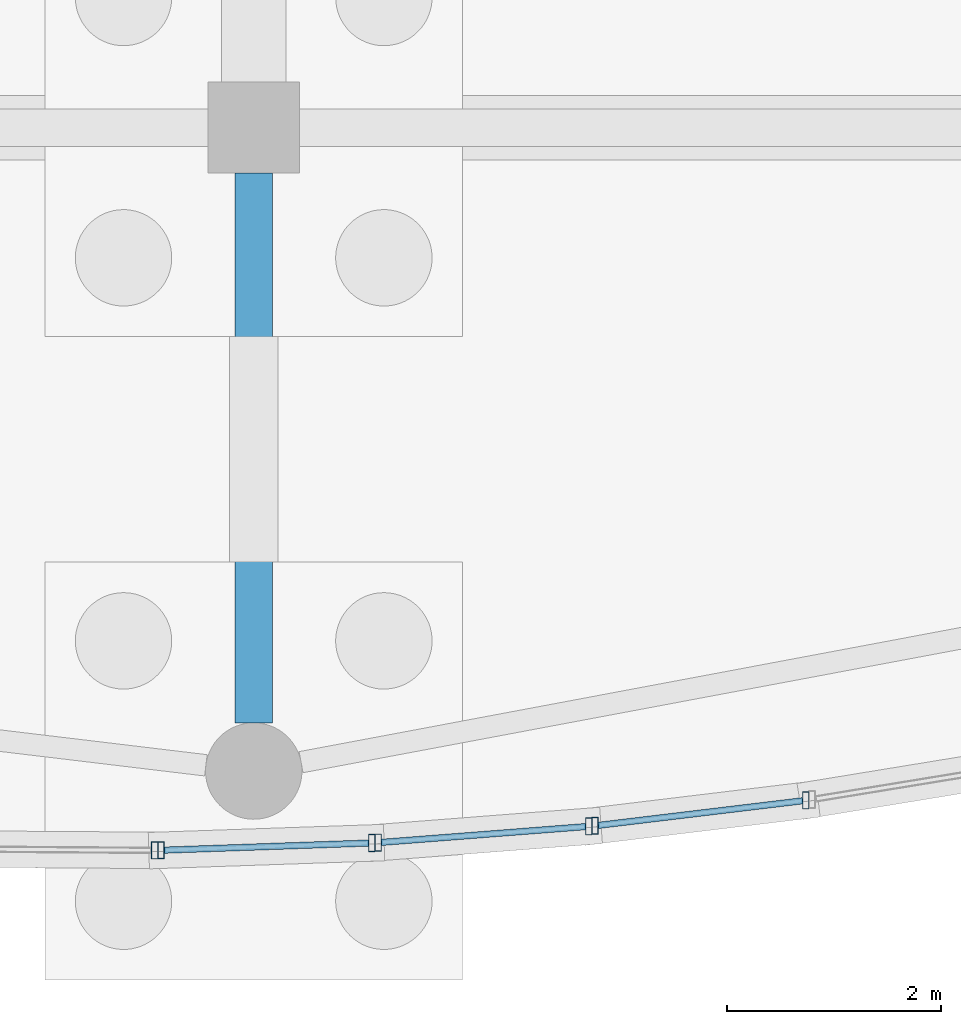
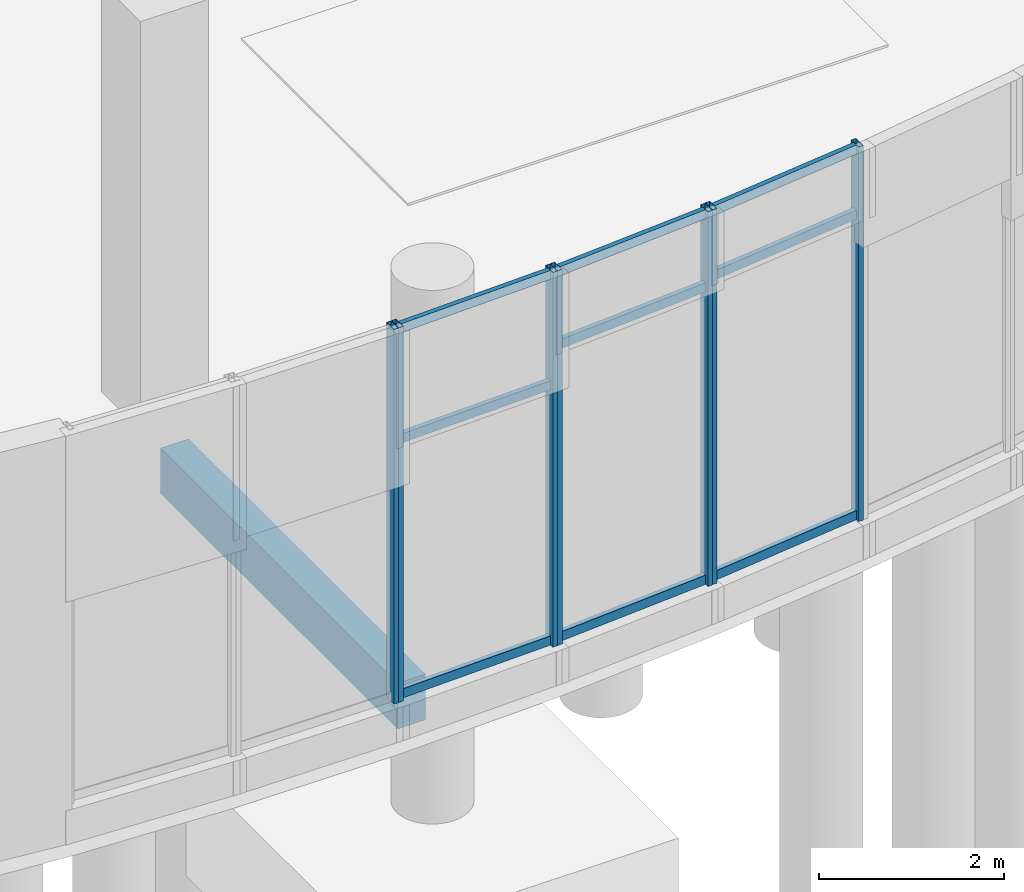
# One storey, part 32 of 192: 16 members, 1 beam, 4 elements without a shape of their own.
"""IFC4 building model written with IfcOpenShell, lengths in metres."""

from ifc_helpers import new_model, si_unit, direction, frame, origin, origin_2d, place, context, subcontext, project, spatial, rectangle, hollow_rectangle, extrude, material, material_profile, profile_set, type_object, element, aggregate, save


model = new_model("IFC4")

# Units and contexts
model_context = context("Model", 3, precision=1e-05, world=origin(), true_north=direction((0.0, 1.0)))
body_context = subcontext(model_context, "Body", "Model", "MODEL_VIEW")
ifc_project = project(units=[si_unit("LENGTHUNIT", "METRE"), si_unit("AREAUNIT", "SQUARE_METRE"), si_unit("VOLUMEUNIT", "CUBIC_METRE"), si_unit("PLANEANGLEUNIT", "RADIAN"), si_unit("MASSUNIT", "GRAM", prefix="KILO")], contexts=[model_context])

# Site, building, storey
site_placement = place(None, origin())
site = spatial("IfcSite", under=ifc_project, at=site_placement, CompositionType="ELEMENT")
building_placement = place(site_placement, origin())
building = spatial("IfcBuilding", under=site, at=building_placement, Name="Cendralis Lancet Convention Centre", CompositionType="ELEMENT")
storey_placement = place(building_placement, origin())
storey = spatial("IfcBuildingStorey", under=building, at=storey_placement, Name="L00", CompositionType="ELEMENT", Elevation=0.0)

# Curtain wall, member
ifc_material_1 = material(Name="Anodised bronze architectural aluminium", Category="aluminium")
curtain_wall_type = type_object("IfcCurtainWallType", Name="ARC-CW-WF01", PredefinedType="USERDEFINED", material=ifc_material_1)
curtain_wall_1_placement = place(storey_placement, origin())
curtain_wall_1 = element("IfcCurtainWall", 1, at=curtain_wall_1_placement, inside=storey, type_object=curtain_wall_type, Name="L00 Curtain Wall CW-WF1 #024", ObjectType="CURTAIN WALL", PredefinedType="USERDEFINED")
ifc_material_profile_1 = material_profile(ifc_material_1, hollow_rectangle(XDim=0.06005859375, YDim=0.159912109375, WallThickness=0.00390625, at=origin_2d()), Name="AL-MULL 60x160x4.0")
ifc_profile_set_1 = profile_set([ifc_material_profile_1], Name="Anodised bronze architectural aluminium")
member_type_1 = type_object("IfcMemberType", Name="ARC-CW-ML01", PredefinedType="MULLION", material=ifc_profile_set_1)
member_1_placement = place(storey_placement, frame((56.676025390625, 0.455078125, 0.449951171875), z_axis=(0.0, 0.0, 1.0), x_axis=(1.0, 0.0, 0.0)))
member_1 = element("IfcMember", 2, at=member_1_placement, type_object=member_type_1, Name="Mullion CW2-CW-WF1-L00-024-M1", PredefinedType="MULLION", context=body_context, shape_type="SweptSolid", body=[
    extrude(hollow_rectangle(XDim=0.06005859375, YDim=0.159912109375, WallThickness=0.00390625, at=origin_2d()), origin(), (0.0, 0.0, 1.0), 4.949951171875),
])
aggregate(curtain_wall_1, [member_1])

# Curtain wall, members
curtain_wall_2_placement = place(storey_placement, origin())
curtain_wall_2 = element("IfcCurtainWall", 3, at=curtain_wall_2_placement, inside=storey, type_object=curtain_wall_type, Name="L00 Curtain Wall CW-WF1 #025", ObjectType="CURTAIN WALL", PredefinedType="USERDEFINED")
member_2_placement = place(storey_placement, frame((56.736083984375, 0.4560546875, 0.449951171875), z_axis=(0.0, 0.0, 1.0), x_axis=(1.0, 0.0, 0.0)))
member_2 = element("IfcMember", 4, at=member_2_placement, type_object=member_type_1, Name="Mullion CW2-CW-WF1-L00-025-M0", PredefinedType="MULLION", context=body_context, shape_type="SweptSolid", body=[
    extrude(hollow_rectangle(XDim=0.06005859375, YDim=0.159912109375, WallThickness=0.00390625, at=origin_2d()), origin(), (0.0, 0.0, 1.0), 4.949951171875),
])
member_3_placement = place(storey_placement, frame((58.701904296875, 0.52392578125, 0.449951171875), z_axis=(0.0, 0.0, 1.0), x_axis=(1.0, 0.0, 0.0)))
member_3 = element("IfcMember", 5, at=member_3_placement, type_object=member_type_1, Name="Mullion CW2-CW-WF1-L00-025-M1", PredefinedType="MULLION", context=body_context, shape_type="SweptSolid", body=[
    extrude(hollow_rectangle(XDim=0.06005859375, YDim=0.159912109375, WallThickness=0.00390625, at=origin_2d()), origin(), (0.0, 0.0, 1.0), 4.949951171875),
])

curtain_wall_3_placement = place(storey_placement, origin())
curtain_wall_3 = element("IfcCurtainWall", 6, at=curtain_wall_3_placement, inside=storey, type_object=curtain_wall_type, Name="L00 Curtain Wall CW-WF1 #026", ObjectType="CURTAIN WALL", PredefinedType="USERDEFINED")
member_4_placement = place(storey_placement, frame((58.761962890625, 0.52734375, 0.449951171875), z_axis=(0.0, 0.0, 1.0), x_axis=(1.0, 0.0, 0.0)))
member_4 = element("IfcMember", 7, at=member_4_placement, type_object=member_type_1, Name="Mullion CW2-CW-WF1-L00-026-M0", PredefinedType="MULLION", context=body_context, shape_type="SweptSolid", body=[
    extrude(hollow_rectangle(XDim=0.06005859375, YDim=0.159912109375, WallThickness=0.00390625, at=origin_2d()), origin(), (0.0, 0.0, 1.0), 4.949951171875),
])
member_5_placement = place(storey_placement, frame((60.72705078125, 0.6787109375, 0.449951171875), z_axis=(0.0, 0.0, 1.0), x_axis=(1.0, 0.0, 0.0)))
member_5 = element("IfcMember", 8, at=member_5_placement, type_object=member_type_1, Name="Mullion CW2-CW-WF1-L00-026-M1", PredefinedType="MULLION", context=body_context, shape_type="SweptSolid", body=[
    extrude(hollow_rectangle(XDim=0.06005859375, YDim=0.159912109375, WallThickness=0.00390625, at=origin_2d()), origin(), (0.0, 0.0, 1.0), 4.949951171875),
])

curtain_wall_4_placement = place(storey_placement, origin())
curtain_wall_4 = element("IfcCurtainWall", 9, at=curtain_wall_4_placement, inside=storey, type_object=curtain_wall_type, Name="L00 Curtain Wall CW-WF1 #027", ObjectType="CURTAIN WALL", PredefinedType="USERDEFINED")
member_6_placement = place(storey_placement, frame((60.786865234375, 0.6845703125, 0.449951171875), z_axis=(0.0, 0.0, 1.0), x_axis=(1.0, 0.0, 0.0)))
member_6 = element("IfcMember", 10, at=member_6_placement, type_object=member_type_1, Name="Mullion CW2-CW-WF1-L00-027-M0", PredefinedType="MULLION", context=body_context, shape_type="SweptSolid", body=[
    extrude(hollow_rectangle(XDim=0.06005859375, YDim=0.159912109375, WallThickness=0.00390625, at=origin_2d()), origin(), (0.0, 0.0, 1.0), 4.949951171875),
])
member_7_placement = place(storey_placement, frame((62.752197265625, 0.92138671875, 0.449951171875), z_axis=(0.0, 0.0, 1.0), x_axis=(1.0, 0.0, 0.0)))
member_7 = element("IfcMember", 11, at=member_7_placement, type_object=member_type_1, Name="Mullion CW2-CW-WF1-L00-027-M1", PredefinedType="MULLION", context=body_context, shape_type="SweptSolid", body=[
    extrude(hollow_rectangle(XDim=0.06005859375, YDim=0.159912109375, WallThickness=0.00390625, at=origin_2d()), origin(), (0.0, 0.0, 1.0), 4.949951171875),
])

# Member
ifc_material_profile_2 = material_profile(ifc_material_1, hollow_rectangle(XDim=0.06005859375, YDim=0.1201171875, WallThickness=0.00390625, at=origin_2d()), Name="AL-TRAN 60x120x4.0")
ifc_profile_set_2 = profile_set([ifc_material_profile_2], Name="Anodised bronze architectural aluminium")
member_type_2 = type_object("IfcMemberType", Name="ARC-CW-TR01", PredefinedType="USERDEFINED", material=ifc_profile_set_2)
member_8_placement = place(storey_placement, frame((56.76611328125, 0.45703125, 0.510009765625), z_axis=(0.999402497399, 0.034563683143, 0.0), x_axis=(-0.034563683143, 0.999402497399, 0.0)))
member_8 = element("IfcMember", 12, at=member_8_placement, type_object=member_type_2, Name="Transom CW2-CW-WF1-L00-025-T0BOT", ObjectType="TRANSOM", PredefinedType="USERDEFINED", context=body_context, shape_type="SweptSolid", body=[
    extrude(hollow_rectangle(XDim=0.06005859375, YDim=0.1201171875, WallThickness=0.00390625, at=origin_2d()), origin(), (0.0, 0.0, 1.0), 1.9072265625),
])

member_9_placement = place(storey_placement, frame((56.76611328125, 0.45703125, 3.883056640625), z_axis=(0.999402497399, 0.034563683143, 0.0), x_axis=(-0.034563683143, 0.999402497399, 0.0)))
member_9 = element("IfcMember", 13, at=member_9_placement, type_object=member_type_2, Name="Transom CW2-CW-WF1-L00-025-T0MID", ObjectType="TRANSOM", PredefinedType="USERDEFINED", context=body_context, shape_type="SweptSolid", body=[
    extrude(hollow_rectangle(XDim=0.06005859375, YDim=0.1201171875, WallThickness=0.00390625, at=origin_2d()), origin(), (0.0, 0.0, 1.0), 1.9072265625),
])

member_10_placement = place(storey_placement, frame((56.76611328125, 0.45703125, 5.340087890625), z_axis=(0.999402497399, 0.034563683143, 0.0), x_axis=(-0.034563683143, 0.999402497399, 0.0)))
member_10 = element("IfcMember", 14, at=member_10_placement, type_object=member_type_2, Name="Transom CW2-CW-WF1-L00-025-T0TOP", ObjectType="TRANSOM", PredefinedType="USERDEFINED", context=body_context, shape_type="SweptSolid", body=[
    extrude(hollow_rectangle(XDim=0.06005859375, YDim=0.1201171875, WallThickness=0.00390625, at=origin_2d()), origin(), (0.0, 0.0, 1.0), 1.9072265625),
])

aggregate(curtain_wall_2, [member_2, member_3, member_8, member_9, member_10])

member_11_placement = place(storey_placement, frame((58.791748046875, 0.529541015625, 0.510009765625), z_axis=(0.997038684308, 0.076901638431, 0.0), x_axis=(-0.076901638431, 0.997038684308, 0.0)))
member_11 = element("IfcMember", 15, at=member_11_placement, type_object=member_type_2, Name="Transom CW2-CW-WF1-L00-026-T0BOT", ObjectType="TRANSOM", PredefinedType="USERDEFINED", context=body_context, shape_type="SweptSolid", body=[
    extrude(hollow_rectangle(XDim=0.06005859375, YDim=0.1201171875, WallThickness=0.00390625, at=origin_2d()), origin(), (0.0, 0.0, 1.0), 1.9111328125),
])

member_12_placement = place(storey_placement, frame((58.791748046875, 0.529541015625, 4.3740234375), z_axis=(0.997038684308, 0.076901638431, 0.0), x_axis=(-0.076901638431, 0.997038684308, 0.0)))
member_12 = element("IfcMember", 16, at=member_12_placement, type_object=member_type_2, Name="Transom CW2-CW-WF1-L00-026-T0MID", ObjectType="TRANSOM", PredefinedType="USERDEFINED", context=body_context, shape_type="SweptSolid", body=[
    extrude(hollow_rectangle(XDim=0.06005859375, YDim=0.1201171875, WallThickness=0.00390625, at=origin_2d()), origin(), (0.0, 0.0, 1.0), 1.9111328125),
])

member_13_placement = place(storey_placement, frame((58.791748046875, 0.529541015625, 5.340087890625), z_axis=(0.997038684308, 0.076901638431, 0.0), x_axis=(-0.076901638431, 0.997038684308, 0.0)))
member_13 = element("IfcMember", 17, at=member_13_placement, type_object=member_type_2, Name="Transom CW2-CW-WF1-L00-026-T0TOP", ObjectType="TRANSOM", PredefinedType="USERDEFINED", context=body_context, shape_type="SweptSolid", body=[
    extrude(hollow_rectangle(XDim=0.06005859375, YDim=0.1201171875, WallThickness=0.00390625, at=origin_2d()), origin(), (0.0, 0.0, 1.0), 1.9111328125),
])

aggregate(curtain_wall_3, [member_4, member_5, member_11, member_12, member_13])

member_14_placement = place(storey_placement, frame((60.816650390625, 0.688232421875, 0.510009765625), z_axis=(0.992827402872, 0.119556464092, 0.0), x_axis=(-0.119556464092, 0.992827402872, 0.0)))
member_14 = element("IfcMember", 18, at=member_14_placement, type_object=member_type_2, Name="Transom CW2-CW-WF1-L00-027-T0BOT", ObjectType="TRANSOM", PredefinedType="USERDEFINED", context=body_context, shape_type="SweptSolid", body=[
    extrude(hollow_rectangle(XDim=0.06005859375, YDim=0.1201171875, WallThickness=0.00390625, at=origin_2d()), origin(), (0.0, 0.0, 1.0), 1.91943359375),
])

member_15_placement = place(storey_placement, frame((60.816650390625, 0.688232421875, 4.48095703125), z_axis=(0.992827402872, 0.119556464092, 0.0), x_axis=(-0.119556464092, 0.992827402872, 0.0)))
member_15 = element("IfcMember", 19, at=member_15_placement, type_object=member_type_2, Name="Transom CW2-CW-WF1-L00-027-T0MID", ObjectType="TRANSOM", PredefinedType="USERDEFINED", context=body_context, shape_type="SweptSolid", body=[
    extrude(hollow_rectangle(XDim=0.06005859375, YDim=0.1201171875, WallThickness=0.00390625, at=origin_2d()), origin(), (0.0, 0.0, 1.0), 1.91943359375),
])

member_16_placement = place(storey_placement, frame((60.816650390625, 0.688232421875, 5.340087890625), z_axis=(0.992827402872, 0.119556464092, 0.0), x_axis=(-0.119556464092, 0.992827402872, 0.0)))
member_16 = element("IfcMember", 20, at=member_16_placement, type_object=member_type_2, Name="Transom CW2-CW-WF1-L00-027-T0TOP", ObjectType="TRANSOM", PredefinedType="USERDEFINED", context=body_context, shape_type="SweptSolid", body=[
    extrude(hollow_rectangle(XDim=0.06005859375, YDim=0.1201171875, WallThickness=0.00390625, at=origin_2d()), origin(), (0.0, 0.0, 1.0), 1.91943359375),
])

aggregate(curtain_wall_4, [member_6, member_7, member_14, member_15, member_16])

# Beam
ifc_material_2 = material(Name="Concrete G35 (C35/45)", Category="concrete")
ifc_material_profile_3 = material_profile(ifc_material_2, rectangle(XDim=0.35009765625, YDim=0.60009765625, at=origin_2d()), Name="RCB 350x600")
ifc_profile_set_3 = profile_set([ifc_material_profile_3], Name="Concrete G35 (C35/45)")
beam_type = type_object("IfcBeamType", Name="STR-BM-BG16", PredefinedType="BEAM", material=ifc_profile_set_3)
beam_placement = place(storey_placement, frame((57.60009765625, 1.64501953125, -0.6201171875), z_axis=(0.0, 1.0, 0.0), x_axis=(-1.0, 0.0, 0.0)))
element("IfcBeam", 21, at=beam_placement, inside=storey, type_object=beam_type, Name="L00 Beam BG16 #1022", PredefinedType="BEAM", context=body_context, shape_type="SweptSolid", body=[
    extrude(rectangle(XDim=0.35009765625, YDim=0.60009765625, at=origin_2d()), origin(), (0.0, 0.0, 1.0), 5.1298828125),
])

save(model, "model.ifc")
